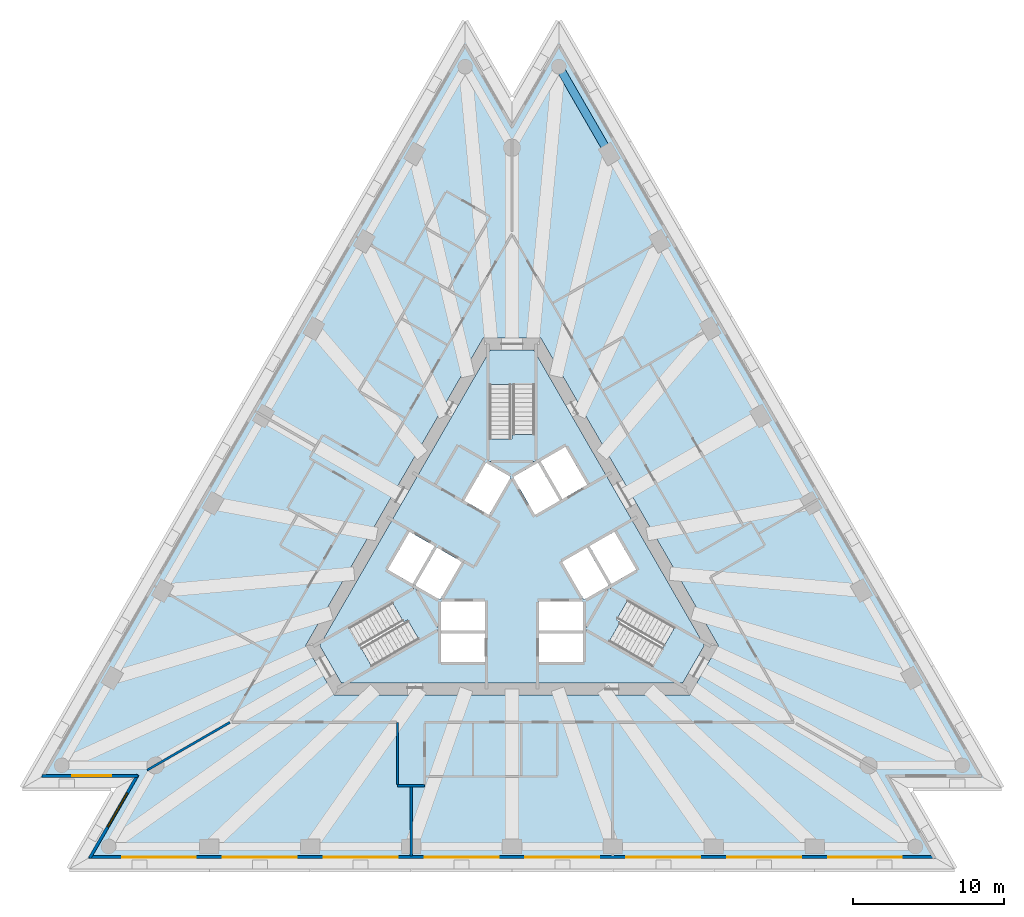
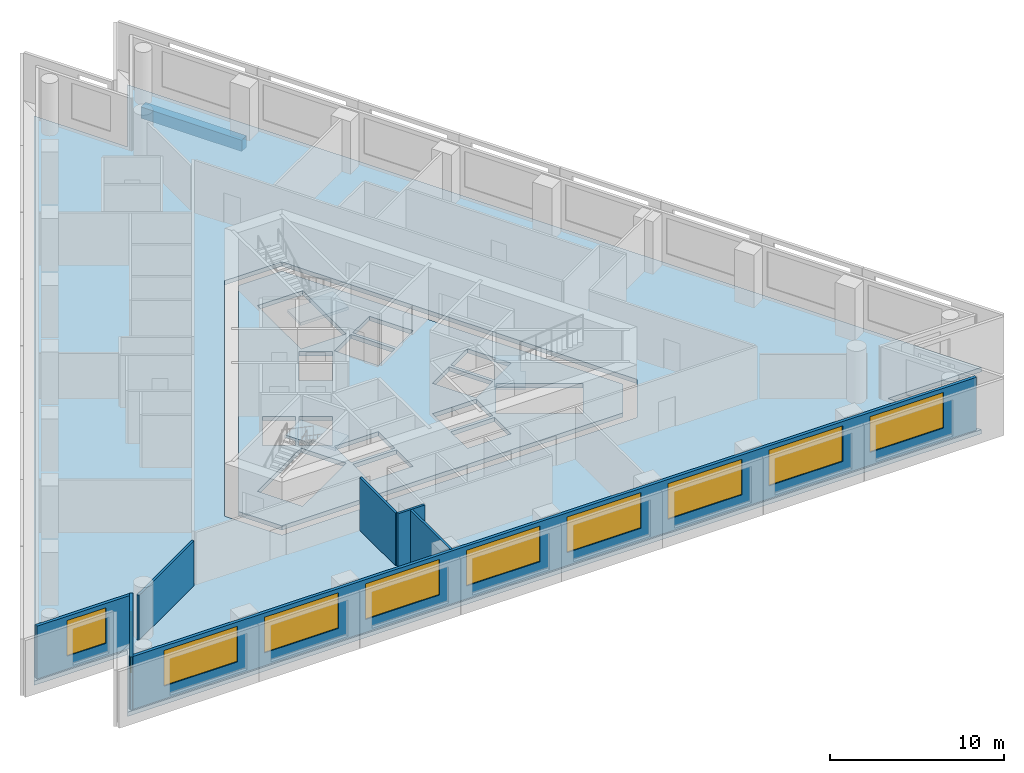
# One storey, part 2 of 9: 10 windows, 7 walls, 5 slabs, 1 beam, 10 openings, 3 elements without a shape of their own.
"""IFC4 building model written with IfcOpenShell, lengths in metres."""

import ifcopenshell
import ifcopenshell.guid

model = None  # the IFC model being written
_history = None  # IfcOwnerHistory: only IFC2X3 demands one
_inside = {}  # id of a spatial element -> (the spatial element, [elements in it])
_under = {}  # id of a project, library or spatial element -> (it, [spatial elements below it])
_declared = {}  # id of a project -> (the project, [libraries it declares])
_typed = {}  # id of a type object -> (the type object, [elements of that type])
_made_of = {}  # id of a material, layer set ... -> (it, [elements and type objects made of it])


def new_model(schema):
    """Start an empty IFC model of exactly this schema.

    Asked for "IFC4X3", IfcOpenShell would pick the latest addendum, in which some entities
    have other attributes; the version numbers below select the first issue.
    IFC2X3 requires an IfcOwnerHistory on every rooted entity: one is made here for all.
    """
    global model, _history
    if schema == "IFC4X3":
        model = ifcopenshell.file(schema_version=(4, 3, 0, 0))
    else:
        model = ifcopenshell.file(schema=schema)
    _inside.clear()
    _under.clear()
    _declared.clear()
    _typed.clear()
    _made_of.clear()
    _history = None
    if model.schema == "IFC2X3":
        org = make("IfcOrganization", Name="unknown")
        user = make(
            "IfcPersonAndOrganization",
            ThePerson=make("IfcPerson", FamilyName="unknown"),
            TheOrganization=org,
        )
        app = make(
            "IfcApplication",
            ApplicationDeveloper=org,
            Version="unknown",
            ApplicationFullName="unknown",
            ApplicationIdentifier="unknown",
        )
        _history = make(
            "IfcOwnerHistory",
            OwningUser=user,
            OwningApplication=app,
            ChangeAction="ADDED",
            CreationDate=0,
        )
    return model


def make(cls, **values):
    """One entity of the class cls with the attributes given. An attribute that is None is left unset."""
    return model.create_entity(
        cls, **{name: value for name, value in values.items() if value is not None}
    )


def rooted(cls, **values):
    """An entity with a GlobalId (a new one), such as an element, a storey or a relation."""
    return make(cls, GlobalId=ifcopenshell.guid.new(), OwnerHistory=_history, **values)


def si_unit(unit_type, name, prefix=None):
    """IfcSIUnit, for example si_unit("LENGTHUNIT", "METRE", prefix="MILLI")."""
    return make("IfcSIUnit", UnitType=unit_type, Prefix=prefix, Name=name)


def assignment(units):
    """IfcUnitAssignment: the units of a project."""
    return None if units is None else make("IfcUnitAssignment", Units=units)


def point(xyz):
    """IfcCartesianPoint."""
    return None if xyz is None else make("IfcCartesianPoint", Coordinates=xyz)


def direction(xyz):
    """IfcDirection."""
    return None if xyz is None else make("IfcDirection", DirectionRatios=xyz)


def frame(location, z_axis=None, x_axis=None):
    """IfcAxis2Placement3D, a coordinate frame: its origin and axes. An axis left out is left unset."""
    return make(
        "IfcAxis2Placement3D",
        Location=point(location),
        Axis=direction(z_axis),
        RefDirection=direction(x_axis),
    )


def frame_2d(location, x_axis=None):
    """IfcAxis2Placement2D, a coordinate frame in the plane: its origin and x axis."""
    return make(
        "IfcAxis2Placement2D", Location=point(location), RefDirection=direction(x_axis)
    )


def origin():
    """The frame at (0, 0, 0) with its axes left unset."""
    return frame((0.0, 0.0, 0.0))


def origin_2d():
    """The frame at (0, 0) in the plane with its x axis left unset."""
    return frame_2d((0.0, 0.0))


def place(relative_to, where):
    """IfcLocalPlacement: puts the frame where relative to a parent placement (None: the world)."""
    return make(
        "IfcLocalPlacement", PlacementRelTo=relative_to, RelativePlacement=where
    )


def context(
    kind, dimensions, precision=None, world=None, true_north=None, identifier=None
):
    """IfcGeometricRepresentationContext, for example the 3D "Model" context."""
    return make(
        "IfcGeometricRepresentationContext",
        ContextIdentifier=identifier,
        ContextType=kind,
        CoordinateSpaceDimension=dimensions,
        Precision=precision,
        WorldCoordinateSystem=world,
        TrueNorth=true_north,
    )


def subcontext(parent, identifier, kind, view, scale=None):
    """IfcGeometricRepresentationSubContext, for example "Body" below "Model"."""
    return make(
        "IfcGeometricRepresentationSubContext",
        ContextIdentifier=identifier,
        ContextType=kind,
        ParentContext=parent,
        TargetScale=scale,
        TargetView=view,
    )


def project(units=None, contexts=None):
    """IfcProject with its units and contexts."""
    return rooted(
        "IfcProject",
        Name="project",
        RepresentationContexts=contexts,
        UnitsInContext=assignment(units),
    )


def spatial(cls, under=None, at=None, **own):
    """A site, building, storey or space (cls), placed at a placement, below another one or the project."""
    s = rooted(cls, ObjectPlacement=at, **own)
    if under is not None:
        _under.setdefault(under.id(), (under, []))[1].append(s)
    return s


def polyline(points):
    """IfcPolyline through the points."""
    return make("IfcPolyline", Points=[point(p) for p in points])


def profile(cls, at=None, kind="AREA", **sizes):
    """A parametric profile (cls). Its sizes go by their IFC names, for example OverallWidth=200.0."""
    return make(cls, ProfileType=kind, Position=at, **sizes)


def rectangle(**sizes):
    """IfcRectangleProfileDef."""
    return profile("IfcRectangleProfileDef", **sizes)


def outline(outer, holes=None, kind="AREA"):
    """IfcArbitraryClosedProfileDef: a profile drawn as a closed curve; with holes, ...WithVoids."""
    if holes is None:
        return make("IfcArbitraryClosedProfileDef", ProfileType=kind, OuterCurve=outer)
    return make(
        "IfcArbitraryProfileDefWithVoids",
        ProfileType=kind,
        OuterCurve=outer,
        InnerCurves=holes,
    )


def extrude(swept, where, along, depth):
    """IfcExtrudedAreaSolid: the profile swept, set in the frame where, extruded along a direction by depth."""
    return make(
        "IfcExtrudedAreaSolid",
        SweptArea=swept,
        Position=where,
        ExtrudedDirection=direction(along),
        Depth=depth,
    )


def shape(context_of_items, identifier, shape_type, items):
    """IfcShapeRepresentation: the items that make up one representation, for example the "Body"."""
    return make(
        "IfcShapeRepresentation",
        ContextOfItems=context_of_items,
        RepresentationIdentifier=identifier,
        RepresentationType=shape_type,
        Items=items,
    )


def material(Name=None, Category=None):
    """IfcMaterial."""
    return make("IfcMaterial", Name=Name, Category=Category)


def layer(
    of_material, thickness, ventilated=None, Name=None, Category=None, Priority=None
):
    """IfcMaterialLayer: one layer of a wall or slab, of a material (None: an air gap)."""
    return make(
        "IfcMaterialLayer",
        Material=of_material,
        LayerThickness=thickness,
        IsVentilated=ventilated,
        Name=Name,
        Category=Category,
        Priority=Priority,
    )


def layer_set(layers, Name=None):
    """IfcMaterialLayerSet."""
    return make("IfcMaterialLayerSet", MaterialLayers=layers, LayerSetName=Name)


def layer_usage(for_layer_set, set_direction, sense, offset, extent=None):
    """IfcMaterialLayerSetUsage: how a layer set lies in its element."""
    return make(
        "IfcMaterialLayerSetUsage",
        ForLayerSet=for_layer_set,
        LayerSetDirection=set_direction,
        DirectionSense=sense,
        OffsetFromReferenceLine=offset,
        ReferenceExtent=extent,
    )


def material_profile(
    of_material, cross_section, Name=None, Category=None, Priority=None
):
    """IfcMaterialProfile: a cross section and its material."""
    return make(
        "IfcMaterialProfile",
        Name=Name,
        Material=of_material,
        Profile=cross_section,
        Priority=Priority,
        Category=Category,
    )


def profile_set(profiles, Name=None, composite=None):
    """IfcMaterialProfileSet."""
    return make(
        "IfcMaterialProfileSet",
        Name=Name,
        MaterialProfiles=profiles,
        CompositeProfile=composite,
    )


def made_of(thing, what):
    """Note that an element or type object is made of a material, layer set ...; save() writes the relation."""
    if what is not None:
        _made_of.setdefault(what.id(), (what, []))[1].append(thing)
    return thing


def type_object(cls, material=None, **own):
    """A type object (cls), such as IfcWallType, which elements share."""
    return made_of(rooted(cls, **own), material)


def element(
    cls,
    number,
    at=None,
    inside=None,
    cuts=None,
    type_object=None,
    material=None,
    context=None,
    identifier="Body",
    shape_type=None,
    held_by="IfcProductDefinitionShape",
    body=None,
    shapes=None,
    **own,
):
    """One element of the class cls, such as IfcWall. Its Tag is "e" and its number.

    at: its placement. inside: the storey or other place that contains it. cuts: it is an
    opening in that element (IfcRelVoidsElement). A single representation is given by context,
    identifier, shape_type and body (its items); several are given by shapes. held_by: the class
    of the entity that holds the representations. save() writes the other relations.
    """
    e = rooted(cls, Tag="e%d" % number, ObjectPlacement=at, **own)
    if body is not None:
        shapes = [shape(context, identifier, shape_type, body)]
    if shapes is not None:
        e.Representation = make(held_by, Representations=shapes)
    if inside is not None:
        _inside.setdefault(inside.id(), (inside, []))[1].append(e)
    if cuts is not None:
        rooted(
            "IfcRelVoidsElement", RelatingBuildingElement=cuts, RelatedOpeningElement=e
        )
    if type_object is not None:
        _typed.setdefault(type_object.id(), (type_object, []))[1].append(e)
    return made_of(e, material)


def fill(opening, filler):
    """IfcRelFillsElement: the door or window that sits in an opening."""
    return rooted(
        "IfcRelFillsElement",
        RelatingOpeningElement=opening,
        RelatedBuildingElement=filler,
    )


def aggregate(whole, parts):
    """IfcRelAggregates: a whole, such as a stair, and the parts it consists of."""
    return rooted("IfcRelAggregates", RelatingObject=whole, RelatedObjects=parts)


def save(model, path):
    """Write the relations noted so far, then the file.

    IfcRelAggregates (storeys below a building ...), IfcRelContainedInSpatialStructure (elements
    in a storey), IfcRelDefinesByType, IfcRelAssociatesMaterial and IfcRelDeclares: one each for
    every whole, place, type object, material and project.
    """
    for whole, parts in _under.values():
        aggregate(whole, parts)
    for where, things in _inside.values():
        rooted(
            "IfcRelContainedInSpatialStructure",
            RelatedElements=things,
            RelatingStructure=where,
        )
    for kind, things in _typed.values():
        rooted("IfcRelDefinesByType", RelatedObjects=things, RelatingType=kind)
    for what, things in _made_of.values():
        rooted("IfcRelAssociatesMaterial", RelatedObjects=things, RelatingMaterial=what)
    for by, libraries in _declared.values():
        rooted("IfcRelDeclares", RelatingContext=by, RelatedDefinitions=libraries)
    model.write(path)


model = new_model("IFC4")

# Units and contexts
model_context = context("Model", 3, precision=1e-05, world=origin(), true_north=direction((0.0, 1.0)))
body_context = subcontext(model_context, "Body", "Model", "MODEL_VIEW")
ifc_project = project(units=[si_unit("LENGTHUNIT", "METRE"), si_unit("AREAUNIT", "SQUARE_METRE"), si_unit("VOLUMEUNIT", "CUBIC_METRE"), si_unit("PLANEANGLEUNIT", "RADIAN"), si_unit("MASSUNIT", "GRAM", prefix="KILO")], contexts=[model_context])

# Site, building, storey
site_placement = place(None, origin())
site = spatial("IfcSite", under=ifc_project, at=site_placement, CompositionType="ELEMENT")
building_placement = place(site_placement, origin())
building = spatial("IfcBuilding", under=site, at=building_placement, Name="Triada Interchange Tower", CompositionType="ELEMENT")
storey_placement = place(building_placement, frame((0.0, 0.0, 140.300048828125)))
storey = spatial("IfcBuildingStorey", under=building, at=storey_placement, Name="L32", CompositionType="ELEMENT", Elevation=140.300048828125)

# Beam
ifc_material_1 = material(Name="Concrete C50/60", Category="concrete")
ifc_material_profile = material_profile(ifc_material_1, rectangle(XDim=0.550048828125, YDim=0.800048828125, at=origin_2d()), Name="RC 550x800")
ifc_profile_set = profile_set([ifc_material_profile], Name="Concrete C50/60")
beam_type = type_object("IfcBeamType", Name="Spandrel beam B RC 550x800", PredefinedType="BEAM", material=ifc_profile_set)
beam_placement = place(storey_placement, frame((6.452880859375, 26.89990234375, -0.699951171875), z_axis=(-0.499965681329, 0.866045216772, 0.0), x_axis=(-0.866045216772, -0.499965681329, 0.0)))
element("IfcBeam", 1, at=beam_placement, inside=storey, type_object=beam_type, Name="Spandrel beam EB28 L32", PredefinedType="BEAM", context=body_context, shape_type="SweptSolid", body=[
    extrude(rectangle(XDim=0.550048828125, YDim=0.800048828125, at=origin_2d()), origin(), (0.0, 0.0, 1.0), 6.6904296875),
])

# Slabs
ifc_layer_1 = layer(ifc_material_1, 0.300048828125)
ifc_layer_set_1 = layer_set([ifc_layer_1], Name="Floor slab 300")
slab_type_1 = type_object("IfcSlabType", Name="Floor slab 300", PredefinedType="FLOOR", material=ifc_layer_set_1)
slab_1_placement = place(storey_placement, frame((0.0, 0.0, -0.300048828125)))
element("IfcSlab", 2, at=slab_1_placement, inside=storey, type_object=slab_type_1, Name="Floor slab L32", PredefinedType="FLOOR", context=body_context, shape_type="SweptSolid", body=[
    extrude(outline(polyline([(-3.10791015625, 34.493896484375), (-31.427001953125, -14.554931640625), (-25.2109375, -14.554931640625), (-28.319091796875, -19.93896484375), (28.319091796875, -19.93896484375), (25.2109375, -14.554931640625), (31.427001953125, -14.554931640625), (3.10791015625, 34.493896484375), (0.0, 29.111083984375), (-3.10791015625, 34.493896484375)]), holes=[polyline([(1.905029296875, 14.699951171875), (-1.905029296875, 14.699951171875), (-13.68310546875, -5.699951171875), (-11.778076171875, -9.0), (11.778076171875, -9.0), (13.68310546875, -5.699951171875), (1.905029296875, 14.699951171875)])]), origin(), (0.0, 0.0, 1.0), 0.300048828125),
])
slab_2_placement = place(storey_placement, frame((0.0, 0.0, -0.300048828125)))
element("IfcSlab", 3, at=slab_2_placement, inside=storey, type_object=slab_type_1, Name="Core floor slab L32 1", PredefinedType="FLOOR", context=body_context, shape_type="SweptSolid", body=[
    extrude(outline(polyline([(12.759033203125, -5.699951171875), (11.31591796875, -8.199951171875), (-11.31591796875, -8.199951171875), (-12.759033203125, -5.699951171875), (-1.443115234375, 13.89990234375), (1.443115234375, 13.89990234375), (12.759033203125, -5.699951171875)]), holes=[polyline([(9.2958984375, -7.09912109375), (10.7958984375, -4.5009765625), (6.466064453125, -2.0009765625), (4.966064453125, -4.59912109375), (9.2958984375, -7.09912109375)]), polyline([(6.7890625, 1.841064453125), (5.14404296875, 0.89111328125), (6.593994140625, -1.6201171875), (8.239013671875, -0.669921875), (6.7890625, 1.841064453125)]), polyline([(4.77490234375, -2.669921875), (6.419921875, -1.719970703125), (4.969970703125, 0.791015625), (3.9150390625, 0.181884765625), (3.324951171875, -0.158935546875), (4.77490234375, -2.669921875)]), polyline([(1.89404296875, 6.52001953125), (3.343994140625, 4.009033203125), (4.989013671875, 4.958984375), (3.5390625, 7.469970703125), (1.89404296875, 6.52001953125)]), polyline([(4.699951171875, -6.800048828125), (4.699951171875, -4.89990234375), (1.800048828125, -4.89990234375), (1.800048828125, -6.800048828125), (4.699951171875, -6.800048828125)]), polyline([(4.699951171875, -2.800048828125), (1.800048828125, -2.800048828125), (1.800048828125, -4.699951171875), (4.699951171875, -4.699951171875), (4.699951171875, -2.800048828125)]), polyline([(0.074951171875, 5.469970703125), (1.52490234375, 2.958984375), (3.169921875, 3.908935546875), (1.719970703125, 6.419921875), (0.074951171875, 5.469970703125)]), polyline([(1.5, 11.60009765625), (-1.5, 11.60009765625), (-1.5, 6.60009765625), (1.5, 6.60009765625), (1.5, 11.60009765625)]), polyline([(-1.52490234375, 2.958984375), (-0.074951171875, 5.469970703125), (-1.719970703125, 6.419921875), (-3.169921875, 3.908935546875), (-1.52490234375, 2.958984375)]), polyline([(-1.800048828125, -2.800048828125), (-4.699951171875, -2.800048828125), (-4.699951171875, -4.699951171875), (-1.800048828125, -4.699951171875), (-1.800048828125, -2.800048828125)]), polyline([(-4.699951171875, -6.800048828125), (-1.800048828125, -6.800048828125), (-1.800048828125, -4.89990234375), (-4.699951171875, -4.89990234375), (-4.699951171875, -6.800048828125)]), polyline([(-4.77490234375, -2.669921875), (-3.324951171875, -0.158935546875), (-4.969970703125, 0.791015625), (-6.419921875, -1.719970703125), (-4.77490234375, -2.669921875)]), polyline([(-10.7958984375, -4.5009765625), (-9.2958984375, -7.09912109375), (-4.966064453125, -4.59912109375), (-6.466064453125, -2.0009765625), (-10.7958984375, -4.5009765625)]), polyline([(-6.593994140625, -1.6201171875), (-5.14404296875, 0.89111328125), (-6.7890625, 1.841064453125), (-8.239013671875, -0.669921875), (-6.593994140625, -1.6201171875)])]), origin(), (0.0, 0.0, 1.0), 0.300048828125),
])

# Stair, slab
ifc_material_2 = material(Name="Concrete C35/45", Category="concrete")
stair_type = type_object("IfcStairType", Name="HALF TURN STAIR 1400", PredefinedType="HALF_TURN_STAIR", material=ifc_material_2)
stair_1_placement = place(storey_placement, origin())
stair_1 = element("IfcStair", 4, at=stair_1_placement, inside=storey, type_object=stair_type, Name="Exit stair S32-1", PredefinedType="HALF_TURN_STAIR")
ifc_layer_2 = layer(ifc_material_2, 0.199951171875)
ifc_layer_set_2 = layer_set([ifc_layer_2], Name="STAIR LANDING 200")
slab_type_2 = type_object("IfcSlabType", Name="STAIR LANDING 200", PredefinedType="LANDING", material=ifc_layer_set_2)
slab_3_placement = place(storey_placement, frame((0.0, 0.0, 1.719970703125)))
slab_3 = element("IfcSlab", 5, at=slab_3_placement, type_object=slab_type_2, Name="S32-1 landing 1", PredefinedType="LANDING", context=body_context, shape_type="SweptSolid", body=[
    extrude(outline(polyline([(1.60009765625, 6.5), (1.60009765625, 8.300048828125), (0.0, 8.300048828125), (0.0, 8.0), (-1.60009765625, 8.0), (-1.60009765625, 6.5), (1.60009765625, 6.5)])), origin(), (0.0, 0.0, 1.0), 0.199951171875),
])
aggregate(stair_1, [slab_3])

stair_2_placement = place(storey_placement, origin())
stair_2 = element("IfcStair", 6, at=stair_2_placement, inside=storey, type_object=stair_type, Name="Exit stair S32-2", PredefinedType="HALF_TURN_STAIR")
slab_4_placement = place(storey_placement, frame((0.0, 0.0, 1.719970703125)))
slab_4 = element("IfcSlab", 7, at=slab_4_placement, type_object=slab_type_2, Name="S32-2 landing 1", PredefinedType="LANDING", context=body_context, shape_type="SweptSolid", body=[
    extrude(outline(polyline([(-6.428955078125, -1.864013671875), (-7.988037109375, -2.763916015625), (-7.18798828125, -4.14990234375), (-6.927978515625, -4.0), (-6.1279296875, -5.385986328125), (-4.8291015625, -4.635986328125), (-6.428955078125, -1.864013671875)])), origin(), (0.0, 0.0, 1.0), 0.199951171875),
])
aggregate(stair_2, [slab_4])

stair_3_placement = place(storey_placement, origin())
stair_3 = element("IfcStair", 8, at=stair_3_placement, inside=storey, type_object=stair_type, Name="Exit stair S32-3", PredefinedType="HALF_TURN_STAIR")
slab_5_placement = place(storey_placement, frame((0.0, 0.0, 1.719970703125)))
slab_5 = element("IfcSlab", 9, at=slab_5_placement, type_object=slab_type_2, Name="S32-3 landing 1", PredefinedType="LANDING", context=body_context, shape_type="SweptSolid", body=[
    extrude(outline(polyline([(4.8291015625, -4.635986328125), (6.387939453125, -5.535888671875), (7.18798828125, -4.14990234375), (6.927978515625, -4.0), (7.72802734375, -2.614013671875), (6.428955078125, -1.864013671875), (4.8291015625, -4.635986328125)])), origin(), (0.0, 0.0, 1.0), 0.199951171875),
])
aggregate(stair_3, [slab_5])

# Wall, opening, window
ifc_material_3 = material(Name="Cement board")
ifc_layer_3 = layer(ifc_material_3, 0.02001953125, Name="Cement board cladding")
ifc_material_4 = material(Name="Sheathing board")
ifc_layer_4 = layer(ifc_material_4, 0.014892578125, Name="Sheathing board")
ifc_material_5 = material(Name="Mineral wool")
ifc_layer_5 = layer(ifc_material_5, 0.14990234375, Name="Mineral wool between steel studs")
ifc_material_6 = material(Name="Gypsum board")
ifc_layer_6 = layer(ifc_material_6, 0.014892578125, Name="Plasterboard lining")
ifc_layer_set_3 = layer_set([ifc_layer_3, ifc_layer_4, ifc_layer_5, ifc_layer_6], Name="External wall 200")
ifc_layer_usage = layer_usage(ifc_layer_set_3, "AXIS2", "POSITIVE", -0.10009765625)
wall_type_1 = type_object("IfcWallType", Name="External wall 200", PredefinedType="ELEMENTEDWALL", material=ifc_layer_set_3)
wall_1_placement = place(storey_placement, frame((-31.1708984375, -14.35498046875, 0.0), z_axis=(0.0, 0.0, 1.0), x_axis=(1.0, 0.0, 0.0)))
wall_1 = element("IfcWall", 10, at=wall_1_placement, inside=storey, type_object=wall_type_1, material=ifc_layer_usage, Name="External wall L32 SW-1", PredefinedType="ELEMENTEDWALL", context=body_context, shape_type="SweptSolid", body=[
    extrude(rectangle(XDim=6.3759765625, YDim=0.199951171875, at=frame_2d((3.18798828125, 0.0))), origin(), (0.0, 0.0, 1.0), 3.699951171875),
])
opening_1_placement = place(wall_1_placement, frame((1.989990234375, 0.0, 0.89990234375)))
opening_1 = element("IfcOpeningElement", 11, at=opening_1_placement, cuts=wall_1, Name="Opening WB09", PredefinedType="OPENING", context=body_context, shape_type="SweptSolid", body=[
    extrude(rectangle(XDim=2.60009765625, YDim=2.5, at=frame_2d((1.300048828125, 1.25))), frame((0.0, 0.10986328125, 0.0), z_axis=(0.0, -1.0, 0.0), x_axis=(1.0, 0.0, 0.0)), (0.0, 0.0, 1.0), 0.219970703125),
])
ifc_material_7 = material(Name="Double glazed aluminium window", Category="aluminium")
window_type_1 = type_object("IfcWindowType", Name="Ribbon window B pocket", PartitioningType="SINGLE_PANEL", PredefinedType="WINDOW", material=ifc_material_7)
window_1_placement = place(opening_1_placement, origin())
window_1 = element("IfcWindow", 12, at=window_1_placement, inside=storey, type_object=window_type_1, Name="Window L32 SW-1 1", OverallHeight=2.5, OverallWidth=2.60009765625, PartitioningType="SINGLE_PANEL", PredefinedType="WINDOW", context=body_context, shape_type="SweptSolid", body=[
    extrude(rectangle(XDim=2.60009765625, YDim=2.5, at=frame_2d((1.300048828125, 1.25))), frame((0.0, 0.030029296875, 0.0), z_axis=(0.0, -1.0, 0.0), x_axis=(1.0, 0.0, 0.0)), (0.0, 0.0, 1.0), 0.06005859375),
])
fill(opening_1, window_1)

wall_2_placement = place(storey_placement, frame((-24.820068359375, -14.277099609375, 0.0), z_axis=(0.0, 0.0, 1.0), x_axis=(-0.499919089554, -0.866072112413, 0.0)))
wall_2 = element("IfcWall", 13, at=wall_2_placement, inside=storey, type_object=wall_type_1, material=ifc_layer_usage, Name="External wall L32 SW-2", PredefinedType="ELEMENTEDWALL", context=body_context, shape_type="SweptSolid", body=[
    extrude(rectangle(XDim=6.376953125, YDim=0.199951171875, at=frame_2d((3.1884765625, 0.0))), origin(), (0.0, 0.0, 1.0), 3.699951171875),
])
opening_2_placement = place(wall_2_placement, frame((1.389892578125, 0.0, 0.89990234375)))
opening_2 = element("IfcOpeningElement", 14, at=opening_2_placement, cuts=wall_2, Name="Opening WB10", PredefinedType="OPENING", context=body_context, shape_type="SweptSolid", body=[
    extrude(rectangle(XDim=2.60009765625, YDim=2.5, at=frame_2d((1.300048828125, 1.25))), frame((0.0, 0.10986328125, 0.0), z_axis=(0.0, -1.0, 0.0), x_axis=(1.0, 0.0, 0.0)), (0.0, 0.0, 1.0), 0.219970703125),
])
window_2_placement = place(opening_2_placement, origin())
window_2 = element("IfcWindow", 15, at=window_2_placement, inside=storey, type_object=window_type_1, Name="Window L32 SW-2 1", OverallHeight=2.5, OverallWidth=2.60009765625, PartitioningType="SINGLE_PANEL", PredefinedType="WINDOW", context=body_context, shape_type="SweptSolid", body=[
    extrude(rectangle(XDim=2.60009765625, YDim=2.5, at=frame_2d((1.300048828125, 1.25))), frame((0.0, 0.030029296875, 0.0), z_axis=(0.0, -1.0, 0.0), x_axis=(1.0, 0.0, 0.0)), (0.0, 0.0, 1.0), 0.06005859375),
])
fill(opening_2, window_2)

# Wall, openings, windows
wall_3_placement = place(storey_placement, frame((-28.06298828125, -19.739013671875, 0.0), z_axis=(0.0, 0.0, 1.0), x_axis=(1.0, 0.0, 0.0)))
wall_3 = element("IfcWall", 16, at=wall_3_placement, inside=storey, type_object=wall_type_1, material=ifc_layer_usage, Name="External wall L32 S", PredefinedType="ELEMENTEDWALL", context=body_context, shape_type="SweptSolid", body=[
    extrude(rectangle(XDim=56.10595703125, YDim=0.199951171875, at=frame_2d((28.052978515625, 0.0))), origin(), (0.0, 0.0, 1.0), 3.699951171875),
])
opening_3_placement = place(wall_3_placement, frame((2.197998046875, 0.0, 0.89990234375)))
opening_3 = element("IfcOpeningElement", 17, at=opening_3_placement, cuts=wall_3, Name="Opening WB11", PredefinedType="OPENING", context=body_context, shape_type="SweptSolid", body=[
    extrude(rectangle(XDim=4.89990234375, YDim=2.5, at=frame_2d((2.449951171875, 1.25))), frame((0.0, 0.10986328125, 0.0), z_axis=(0.0, -1.0, 0.0), x_axis=(1.0, 0.0, 0.0)), (0.0, 0.0, 1.0), 0.219970703125),
])
opening_4_placement = place(wall_3_placement, frame((8.887939453125, 0.0, 0.89990234375)))
opening_4 = element("IfcOpeningElement", 18, at=opening_4_placement, cuts=wall_3, Name="Opening WB12", PredefinedType="OPENING", context=body_context, shape_type="SweptSolid", body=[
    extrude(rectangle(XDim=4.89990234375, YDim=2.5, at=frame_2d((2.449951171875, 1.25))), frame((0.0, 0.10986328125, 0.0), z_axis=(0.0, -1.0, 0.0), x_axis=(1.0, 0.0, 0.0)), (0.0, 0.0, 1.0), 0.219970703125),
])
opening_5_placement = place(wall_3_placement, frame((15.577880859375, 0.0, 0.89990234375)))
opening_5 = element("IfcOpeningElement", 19, at=opening_5_placement, cuts=wall_3, Name="Opening WB13", PredefinedType="OPENING", context=body_context, shape_type="SweptSolid", body=[
    extrude(rectangle(XDim=4.89990234375, YDim=2.5, at=frame_2d((2.449951171875, 1.25))), frame((0.0, 0.10986328125, 0.0), z_axis=(0.0, -1.0, 0.0), x_axis=(1.0, 0.0, 0.0)), (0.0, 0.0, 1.0), 0.219970703125),
])
opening_6_placement = place(wall_3_placement, frame((22.26806640625, 0.0, 0.89990234375)))
opening_6 = element("IfcOpeningElement", 20, at=opening_6_placement, cuts=wall_3, Name="Opening WB14", PredefinedType="OPENING", context=body_context, shape_type="SweptSolid", body=[
    extrude(rectangle(XDim=4.89990234375, YDim=2.5, at=frame_2d((2.449951171875, 1.25))), frame((0.0, 0.10986328125, 0.0), z_axis=(0.0, -1.0, 0.0), x_axis=(1.0, 0.0, 0.0)), (0.0, 0.0, 1.0), 0.219970703125),
])
opening_7_placement = place(wall_3_placement, frame((28.9580078125, 0.0, 0.89990234375)))
opening_7 = element("IfcOpeningElement", 21, at=opening_7_placement, cuts=wall_3, Name="Opening WB15", PredefinedType="OPENING", context=body_context, shape_type="SweptSolid", body=[
    extrude(rectangle(XDim=4.89990234375, YDim=2.5, at=frame_2d((2.449951171875, 1.25))), frame((0.0, 0.10986328125, 0.0), z_axis=(0.0, -1.0, 0.0), x_axis=(1.0, 0.0, 0.0)), (0.0, 0.0, 1.0), 0.219970703125),
])
opening_8_placement = place(wall_3_placement, frame((35.64794921875, 0.0, 0.89990234375)))
opening_8 = element("IfcOpeningElement", 22, at=opening_8_placement, cuts=wall_3, Name="Opening WB16", PredefinedType="OPENING", context=body_context, shape_type="SweptSolid", body=[
    extrude(rectangle(XDim=4.89990234375, YDim=2.5, at=frame_2d((2.449951171875, 1.25))), frame((0.0, 0.10986328125, 0.0), z_axis=(0.0, -1.0, 0.0), x_axis=(1.0, 0.0, 0.0)), (0.0, 0.0, 1.0), 0.219970703125),
])
opening_9_placement = place(wall_3_placement, frame((42.337890625, 0.0, 0.89990234375)))
opening_9 = element("IfcOpeningElement", 23, at=opening_9_placement, cuts=wall_3, Name="Opening WB17", PredefinedType="OPENING", context=body_context, shape_type="SweptSolid", body=[
    extrude(rectangle(XDim=4.89990234375, YDim=2.5, at=frame_2d((2.449951171875, 1.25))), frame((0.0, 0.10986328125, 0.0), z_axis=(0.0, -1.0, 0.0), x_axis=(1.0, 0.0, 0.0)), (0.0, 0.0, 1.0), 0.219970703125),
])
opening_10_placement = place(wall_3_placement, frame((49.028076171875, 0.0, 0.89990234375)))
opening_10 = element("IfcOpeningElement", 24, at=opening_10_placement, cuts=wall_3, Name="Opening WB18", PredefinedType="OPENING", context=body_context, shape_type="SweptSolid", body=[
    extrude(rectangle(XDim=4.89990234375, YDim=2.5, at=frame_2d((2.449951171875, 1.25))), frame((0.0, 0.10986328125, 0.0), z_axis=(0.0, -1.0, 0.0), x_axis=(1.0, 0.0, 0.0)), (0.0, 0.0, 1.0), 0.219970703125),
])
window_type_2 = type_object("IfcWindowType", Name="Ribbon window B face", PartitioningType="SINGLE_PANEL", PredefinedType="WINDOW", material=ifc_material_7)
window_3_placement = place(opening_3_placement, origin())
window_3 = element("IfcWindow", 25, at=window_3_placement, inside=storey, type_object=window_type_2, Name="Window L32 S 1", OverallHeight=2.5, OverallWidth=4.89990234375, PartitioningType="SINGLE_PANEL", PredefinedType="WINDOW", context=body_context, shape_type="SweptSolid", body=[
    extrude(rectangle(XDim=4.89990234375, YDim=2.5, at=frame_2d((2.449951171875, 1.25))), frame((0.0, 0.030029296875, 0.0), z_axis=(0.0, -1.0, 0.0), x_axis=(1.0, 0.0, 0.0)), (0.0, 0.0, 1.0), 0.06005859375),
])
fill(opening_3, window_3)
window_4_placement = place(opening_4_placement, origin())
window_4 = element("IfcWindow", 26, at=window_4_placement, inside=storey, type_object=window_type_2, Name="Window L32 S 2", OverallHeight=2.5, OverallWidth=4.89990234375, PartitioningType="SINGLE_PANEL", PredefinedType="WINDOW", context=body_context, shape_type="SweptSolid", body=[
    extrude(rectangle(XDim=4.89990234375, YDim=2.5, at=frame_2d((2.449951171875, 1.25))), frame((0.0, 0.030029296875, 0.0), z_axis=(0.0, -1.0, 0.0), x_axis=(1.0, 0.0, 0.0)), (0.0, 0.0, 1.0), 0.06005859375),
])
fill(opening_4, window_4)
window_5_placement = place(opening_5_placement, origin())
window_5 = element("IfcWindow", 27, at=window_5_placement, inside=storey, type_object=window_type_2, Name="Window L32 S 3", OverallHeight=2.5, OverallWidth=4.89990234375, PartitioningType="SINGLE_PANEL", PredefinedType="WINDOW", context=body_context, shape_type="SweptSolid", body=[
    extrude(rectangle(XDim=4.89990234375, YDim=2.5, at=frame_2d((2.449951171875, 1.25))), frame((0.0, 0.030029296875, 0.0), z_axis=(0.0, -1.0, 0.0), x_axis=(1.0, 0.0, 0.0)), (0.0, 0.0, 1.0), 0.06005859375),
])
fill(opening_5, window_5)
window_6_placement = place(opening_6_placement, origin())
window_6 = element("IfcWindow", 28, at=window_6_placement, inside=storey, type_object=window_type_2, Name="Window L32 S 4", OverallHeight=2.5, OverallWidth=4.89990234375, PartitioningType="SINGLE_PANEL", PredefinedType="WINDOW", context=body_context, shape_type="SweptSolid", body=[
    extrude(rectangle(XDim=4.89990234375, YDim=2.5, at=frame_2d((2.449951171875, 1.25))), frame((0.0, 0.030029296875, 0.0), z_axis=(0.0, -1.0, 0.0), x_axis=(1.0, 0.0, 0.0)), (0.0, 0.0, 1.0), 0.06005859375),
])
fill(opening_6, window_6)
window_7_placement = place(opening_7_placement, origin())
window_7 = element("IfcWindow", 29, at=window_7_placement, inside=storey, type_object=window_type_2, Name="Window L32 S 5", OverallHeight=2.5, OverallWidth=4.89990234375, PartitioningType="SINGLE_PANEL", PredefinedType="WINDOW", context=body_context, shape_type="SweptSolid", body=[
    extrude(rectangle(XDim=4.89990234375, YDim=2.5, at=frame_2d((2.449951171875, 1.25))), frame((0.0, 0.030029296875, 0.0), z_axis=(0.0, -1.0, 0.0), x_axis=(1.0, 0.0, 0.0)), (0.0, 0.0, 1.0), 0.06005859375),
])
fill(opening_7, window_7)
window_8_placement = place(opening_8_placement, origin())
window_8 = element("IfcWindow", 30, at=window_8_placement, inside=storey, type_object=window_type_2, Name="Window L32 S 6", OverallHeight=2.5, OverallWidth=4.89990234375, PartitioningType="SINGLE_PANEL", PredefinedType="WINDOW", context=body_context, shape_type="SweptSolid", body=[
    extrude(rectangle(XDim=4.89990234375, YDim=2.5, at=frame_2d((2.449951171875, 1.25))), frame((0.0, 0.030029296875, 0.0), z_axis=(0.0, -1.0, 0.0), x_axis=(1.0, 0.0, 0.0)), (0.0, 0.0, 1.0), 0.06005859375),
])
fill(opening_8, window_8)
window_9_placement = place(opening_9_placement, origin())
window_9 = element("IfcWindow", 31, at=window_9_placement, inside=storey, type_object=window_type_2, Name="Window L32 S 7", OverallHeight=2.5, OverallWidth=4.89990234375, PartitioningType="SINGLE_PANEL", PredefinedType="WINDOW", context=body_context, shape_type="SweptSolid", body=[
    extrude(rectangle(XDim=4.89990234375, YDim=2.5, at=frame_2d((2.449951171875, 1.25))), frame((0.0, 0.030029296875, 0.0), z_axis=(0.0, -1.0, 0.0), x_axis=(1.0, 0.0, 0.0)), (0.0, 0.0, 1.0), 0.06005859375),
])
fill(opening_9, window_9)
window_10_placement = place(opening_10_placement, origin())
window_10 = element("IfcWindow", 32, at=window_10_placement, inside=storey, type_object=window_type_2, Name="Window L32 S 8", OverallHeight=2.5, OverallWidth=4.89990234375, PartitioningType="SINGLE_PANEL", PredefinedType="WINDOW", context=body_context, shape_type="SweptSolid", body=[
    extrude(rectangle(XDim=4.89990234375, YDim=2.5, at=frame_2d((2.449951171875, 1.25))), frame((0.0, 0.030029296875, 0.0), z_axis=(0.0, -1.0, 0.0), x_axis=(1.0, 0.0, 0.0)), (0.0, 0.0, 1.0), 0.06005859375),
])
fill(opening_10, window_10)

# Walls
ifc_material_8 = material(Name="Gypsum board partition")
ifc_layer_7 = layer(ifc_material_8, 0.14990234375)
ifc_layer_set_4 = layer_set([ifc_layer_7], Name="PARTITION 150 EI 180")
wall_type_2 = type_object("IfcWallType", Name="PARTITION 150 EI 180", PredefinedType="PARTITIONING", material=ifc_layer_set_4)
wall_4_placement = place(storey_placement, frame((-24.18896484375, -13.965087890625, 0.0), z_axis=(0.0, 0.0, 1.0), x_axis=(0.865994217434, 0.500054012454, 0.0)))
element("IfcWall", 33, at=wall_4_placement, inside=storey, type_object=wall_type_2, Name="Wall L32 1", PredefinedType="PARTITIONING", context=body_context, shape_type="SweptSolid", body=[
    extrude(rectangle(XDim=6.331298828125, YDim=0.14990234375, at=frame_2d((3.16552734375, 0.0))), origin(), (0.0, 0.0, 1.0), 3.14990234375),
])
wall_5_placement = place(storey_placement, frame((-7.590087890625, -15.0, 0.0), z_axis=(0.0, 0.0, 1.0), x_axis=(1.0, 0.0, 0.0)))
element("IfcWall", 34, at=wall_5_placement, inside=storey, type_object=wall_type_2, Name="Wall L32 3", PredefinedType="PARTITIONING", context=body_context, shape_type="SweptSolid", body=[
    extrude(rectangle(XDim=1.800048828125, YDim=0.14990234375, at=frame_2d((0.89990234375, 0.0))), origin(), (0.0, 0.0, 1.0), 3.699951171875),
])
wall_6_placement = place(storey_placement, frame((-7.590087890625, -14.925048828125, 0.0), z_axis=(0.0, 0.0, 1.0), x_axis=(0.0, 1.0, 0.0)))
element("IfcWall", 35, at=wall_6_placement, inside=storey, type_object=wall_type_2, Name="Wall L32 4", PredefinedType="PARTITIONING", context=body_context, shape_type="SweptSolid", body=[
    extrude(rectangle(XDim=4.1240234375, YDim=0.14990234375, at=frame_2d((2.06201171875, 0.0))), origin(), (0.0, 0.0, 1.0), 3.699951171875),
])
wall_7_placement = place(storey_placement, frame((-6.68994140625, -19.658935546875, 0.0), z_axis=(0.0, 0.0, 1.0), x_axis=(0.0, 1.0, 0.0)))
element("IfcWall", 36, at=wall_7_placement, inside=storey, type_object=wall_type_2, Name="Wall L32 23", PredefinedType="PARTITIONING", context=body_context, shape_type="SweptSolid", body=[
    extrude(rectangle(XDim=4.583984375, YDim=0.14990234375, at=frame_2d((2.2919921875, 0.0))), origin(), (0.0, 0.0, 1.0), 3.699951171875),
])

save(model, "model.ifc")
